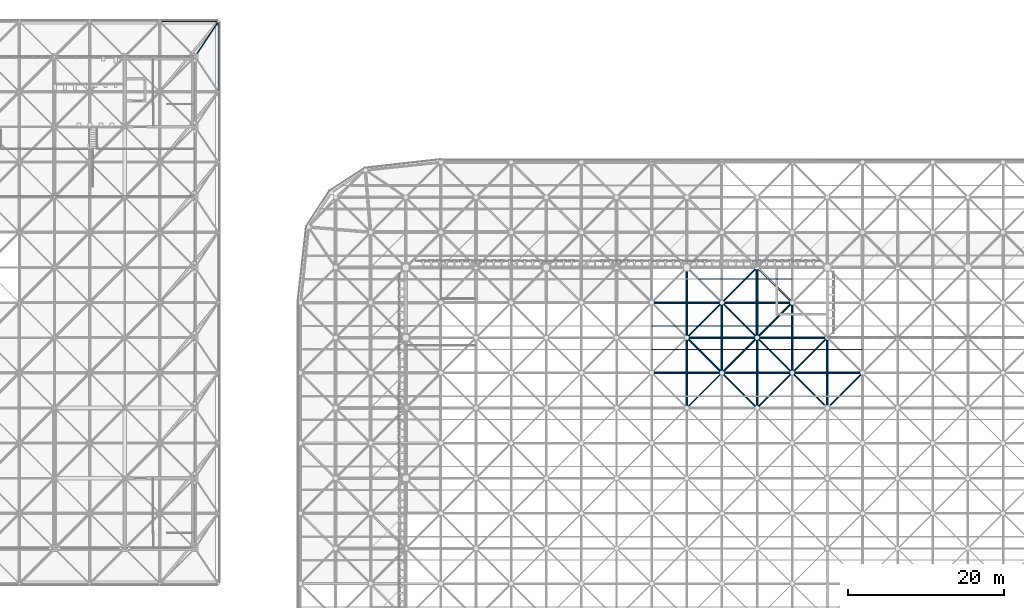
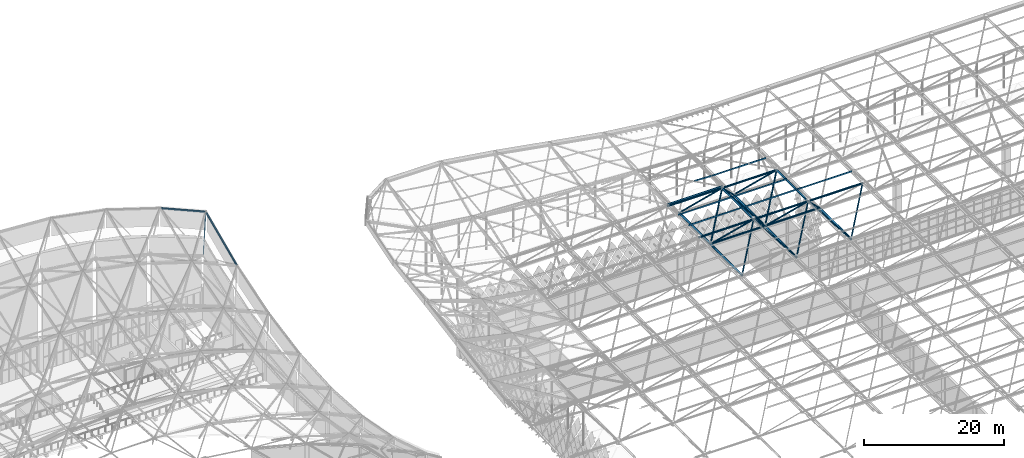
# One storey, part 152 of 437: 41 members.
"""IFC4 building model written with IfcOpenShell, lengths in metres."""

from ifc_helpers import new_model, si_unit, direction, frame, origin, origin_2d, place, context, subcontext, project, spatial, polyline, hollow_circle, outline, extrude, material, material_profile, profile_set, type_object, element, save


model = new_model("IFC4")

# Units and contexts
model_context = context("Model", 3, precision=1e-05, world=origin(), true_north=direction((0.0, 1.0)))
body_context = subcontext(model_context, "Body", "Model", "MODEL_VIEW")
ifc_project = project(units=[si_unit("LENGTHUNIT", "METRE"), si_unit("AREAUNIT", "SQUARE_METRE"), si_unit("VOLUMEUNIT", "CUBIC_METRE"), si_unit("PLANEANGLEUNIT", "RADIAN"), si_unit("MASSUNIT", "GRAM", prefix="KILO")], contexts=[model_context])

# Site, building, storey
site_placement = place(None, origin())
site = spatial("IfcSite", under=ifc_project, at=site_placement, CompositionType="ELEMENT")
building_placement = place(site_placement, origin())
building = spatial("IfcBuilding", under=site, at=building_placement, Name="Opaline Strait Convention Centre", CompositionType="ELEMENT")
storey_placement = place(building_placement, frame((0.0, 0.0, 11.5)))
storey = spatial("IfcBuildingStorey", under=building, at=storey_placement, Name="L02", CompositionType="ELEMENT", Elevation=11.5)

# Members
ifc_material = material(Name="Steel Q355B", Category="steel")
ifc_material_profile_1 = material_profile(ifc_material, outline(polyline([(-0.03759765625, -0.125), (0.03759765625, -0.125), (0.03759765625, -0.10498046875), (0.034912109375, -0.10498046875), (0.034912109375, -0.12255859375), (-0.034912109375, -0.12255859375), (-0.034912109375, 0.12255859375), (0.034912109375, 0.12255859375), (0.034912109375, 0.10498046875), (0.03759765625, 0.10498046875), (0.03759765625, 0.125), (-0.03759765625, 0.125), (-0.03759765625, -0.125)])), Name="C 250x75x20x2.5")
ifc_profile_set_1 = profile_set([ifc_material_profile_1], Name="Steel Q355B")
member_type_1 = type_object("IfcMemberType", Name="Roof purlin C 250x75x20x2.5", PredefinedType="PURLIN", material=ifc_profile_set_1)
for number, where, z_axis, x_axis, name in (
    (1, (130.5, 142.5, 18.257080078125), (1.0, 0.0, 0.0), (0.0, 1.0, 0.0), "EXB-RF-P-5-11-0"),
    (2, (130.5, 145.5, 18.257080078125), (1.0, 0.0, 0.0), (0.0, 1.0, 0.0), "EXB-RF-P-5-11-1"),
    (3, (139.5, 142.5, 18.257080078125), (1.0, 0.0, 0.0), (0.0, 1.0, 0.0), "EXB-RF-P-6-11-0"),
    (4, (139.5, 145.5, 18.257080078125), (1.0, 0.0, 0.0), (0.0, 1.0, 0.0), "EXB-RF-P-6-11-1"),
    (5, (148.5, 142.5, 18.257080078125), (1.0, 0.0, 0.0), (0.0, 1.0, 0.0), "EXB-RF-P-7-11-0"),
):
    element("IfcMember", number, at=place(storey_placement, frame(where, z_axis=z_axis, x_axis=x_axis)), inside=storey, type_object=member_type_1, Name=name, PredefinedType="PURLIN", context=body_context, shape_type="SweptSolid", body=[
        extrude(outline(polyline([(-0.03759765625, -0.125), (0.03759765625, -0.125), (0.03759765625, -0.10498046875), (0.034912109375, -0.10498046875), (0.034912109375, -0.12255859375), (-0.034912109375, -0.12255859375), (-0.034912109375, 0.12255859375), (0.034912109375, 0.12255859375), (0.034912109375, 0.10498046875), (0.03759765625, 0.10498046875), (0.03759765625, 0.125), (-0.03759765625, 0.125), (-0.03759765625, -0.125)])), origin(), (0.0, 0.0, 1.0), 9.0),
    ])
member_1_placement = place(storey_placement, frame((136.550048828125, 151.5, 18.38916015625), z_axis=(0.999303847196, 0.0, -0.03730711701), x_axis=(0.000271389435, 0.999973540706, 0.007269404021)))
element("IfcMember", 6, at=member_1_placement, inside=storey, type_object=member_type_1, Name="EXB-RF-P-5-12-0a", PredefinedType="PURLIN", context=body_context, shape_type="SweptSolid", body=[
    extrude(outline(polyline([(-0.03759765625, -0.125), (0.03759765625, -0.125), (0.03759765625, -0.10498046875), (0.034912109375, -0.10498046875), (0.034912109375, -0.12255859375), (-0.034912109375, -0.12255859375), (-0.034912109375, 0.12255859375), (0.034912109375, 0.12255859375), (0.034912109375, 0.10498046875), (0.03759765625, 0.10498046875), (0.03759765625, 0.125), (-0.03759765625, 0.125), (-0.03759765625, -0.125)])), origin(), (0.0, 0.0, 1.0), 2.872802734375),
])
member_2_placement = place(storey_placement, frame((130.449951171875, 148.54541015625, 18.259033203125), z_axis=(1.0, 0.0, 0.0), x_axis=(0.0, 0.999004644434, 0.044606282058)))
element("IfcMember", 7, at=member_2_placement, inside=storey, type_object=member_type_1, Name="EXB-RF-E-5-12b", PredefinedType="PURLIN", context=body_context, shape_type="SweptSolid", body=[
    extrude(outline(polyline([(-0.03759765625, -0.125), (0.03759765625, -0.125), (0.03759765625, -0.10498046875), (0.034912109375, -0.10498046875), (0.034912109375, -0.12255859375), (-0.034912109375, -0.12255859375), (-0.034912109375, 0.12255859375), (0.034912109375, 0.12255859375), (0.034912109375, 0.10498046875), (0.03759765625, 0.10498046875), (0.03759765625, 0.125), (-0.03759765625, 0.125), (-0.03759765625, -0.125)])), origin(), (0.0, 0.0, 1.0), 9.10009765625),
])
member_3_placement = place(storey_placement, frame((145.550048828125, 151.5, 18.278564453125), z_axis=(0.999973480305, 0.0, -0.007282766388), x_axis=(0.0, 1.0, 0.0)))
element("IfcMember", 8, at=member_3_placement, inside=storey, type_object=member_type_1, Name="EXB-RF-P-6-12-0a", PredefinedType="PURLIN", context=body_context, shape_type="SweptSolid", body=[
    extrude(outline(polyline([(-0.03759765625, -0.125), (0.03759765625, -0.125), (0.03759765625, -0.10498046875), (0.034912109375, -0.10498046875), (0.034912109375, -0.12255859375), (-0.034912109375, -0.12255859375), (-0.034912109375, 0.12255859375), (0.034912109375, 0.12255859375), (0.034912109375, 0.10498046875), (0.03759765625, 0.10498046875), (0.03759765625, 0.125), (-0.03759765625, 0.125), (-0.03759765625, -0.125)])), origin(), (0.0, 0.0, 1.0), 2.949951171875),
])
member_4_placement = place(storey_placement, frame((139.5, 151.5, 18.27880859375), z_axis=(1.0, 0.0, 0.0), x_axis=(0.0, 0.999973540706, 0.007274468163)))
element("IfcMember", 9, at=member_4_placement, inside=storey, type_object=member_type_1, Name="EXB-RF-P-6-12-0b", PredefinedType="PURLIN", context=body_context, shape_type="SweptSolid", body=[
    extrude(outline(polyline([(-0.03759765625, -0.125), (0.03759765625, -0.125), (0.03759765625, -0.10498046875), (0.034912109375, -0.10498046875), (0.034912109375, -0.12255859375), (-0.034912109375, -0.12255859375), (-0.034912109375, 0.12255859375), (0.034912109375, 0.12255859375), (0.034912109375, 0.10498046875), (0.03759765625, 0.10498046875), (0.03759765625, 0.125), (-0.03759765625, 0.125), (-0.03759765625, -0.125)])), origin(), (0.0, 0.0, 1.0), 5.949951171875),
])
ifc_material_profile_2 = material_profile(ifc_material, hollow_circle(Radius=0.1494140625, WallThickness=0.01611328125, at=origin_2d()), Name="CHS 299x16")
ifc_profile_set_2 = profile_set([ifc_material_profile_2], Name="Steel Q355B")
member_type_2 = type_object("IfcMemberType", Name="Shell truss top chord CHS 299x16", PredefinedType="CHORD", material=ifc_profile_set_2)
member_5_placement = place(storey_placement, frame((67.64990234375, 184.5, 17.77978515625), z_axis=(0.917383800951, 0.0, -0.398003720777), x_axis=(0.0, 1.0, 0.0)))
element("IfcMember", 10, at=member_5_placement, inside=storey, type_object=member_type_2, Name="PTC1 top chord X8-9", PredefinedType="CHORD", context=body_context, shape_type="SweptSolid", body=[
    extrude(hollow_circle(Radius=0.1494140625, WallThickness=0.01611328125, at=origin_2d()), origin(), (0.0, 0.0, 1.0), 7.8486328125),
])
member_6_placement = place(storey_placement, frame((75.0, 175.64990234375, 10.65771484375), z_axis=(0.0, 0.913813663494, 0.406133707555), x_axis=(-1.0, 0.0, 0.0)))
element("IfcMember", 11, at=member_6_placement, inside=storey, type_object=member_type_2, Name="PTC1 top chord Y9-8", PredefinedType="CHORD", context=body_context, shape_type="SweptSolid", body=[
    extrude(hollow_circle(Radius=0.1494140625, WallThickness=0.01611328125, at=origin_2d()), origin(), (0.0, 0.0, 1.0), 9.520751953125),
])
ifc_material_profile_3 = material_profile(ifc_material, hollow_circle(Radius=0.083984375, WallThickness=0.010009765625, at=origin_2d()), Name="CHS 168x10")
ifc_profile_set_3 = profile_set([ifc_material_profile_3], Name="Steel Q355B")
member_type_3 = type_object("IfcMemberType", Name="Shell truss web CHS 168x10", PredefinedType="BRACE", material=ifc_profile_set_3)
member_7_placement = place(storey_placement, frame((72.083251953125, 180.124755859375, 10.802978515625), z_axis=(0.450060474119, 0.675129489438, 0.584504698122), x_axis=(-0.832064999387, 0.554678138018, 0.0)))
element("IfcMember", 12, at=member_7_placement, inside=storey, type_object=member_type_3, Name="PWB1 web 8-8bd", PredefinedType="BRACE", context=body_context, shape_type="SweptSolid", body=[
    extrude(hollow_circle(Radius=0.083984375, WallThickness=0.010009765625, at=origin_2d()), origin(), (0.0, 0.0, 1.0), 6.2958984375),
])
ifc_material_profile_4 = material_profile(ifc_material, hollow_circle(Radius=0.16259765625, WallThickness=0.013916015625, at=origin_2d()), Name="CHS 325x14")
ifc_profile_set_4 = profile_set([ifc_material_profile_4], Name="Steel Q355B")
member_type_4 = type_object("IfcMemberType", Name="Space frame bottom chord CHS 325x14", PredefinedType="CHORD", material=ifc_profile_set_4)
member_8_placement = place(storey_placement, frame((144.0, 134.949951171875, 12.5), z_axis=(0.0, 1.0, 0.0), x_axis=(-1.0, 0.0, 0.0)))
element("IfcMember", 13, at=member_8_placement, inside=storey, type_object=member_type_4, Name="EXB-RF-BY-6-10", PredefinedType="CHORD", context=body_context, shape_type="SweptSolid", body=[
    extrude(hollow_circle(Radius=0.16259765625, WallThickness=0.013916015625, at=origin_2d()), origin(), (0.0, 0.0, 1.0), 9.10009765625),
])
ifc_material_profile_5 = material_profile(ifc_material, hollow_circle(Radius=0.175537109375, WallThickness=0.01611328125, at=origin_2d()), Name="CHS 351x16")
ifc_profile_set_5 = profile_set([ifc_material_profile_5], Name="Steel Q355B")
member_type_5 = type_object("IfcMemberType", Name="Space frame bottom chord CHS 351x16", PredefinedType="CHORD", material=ifc_profile_set_5)
for number, where, z_axis, x_axis, name in (
    (14, (134.949951171875, 144.0, 12.5), (1.0, 0.0, 0.0), (0.0, 1.0, 0.0), "EXB-RF-BX-5-11"),
    (15, (143.949951171875, 144.0, 12.5), (1.0, 0.0, 0.0), (0.0, 1.0, 0.0), "EXB-RF-BX-6-11"),
    (16, (135.0, 134.949951171875, 12.5), (0.0, 1.0, 0.0), (-1.0, 0.0, 0.0), "EXB-RF-BY-5-10"),
    (17, (135.0, 143.949951171875, 12.5), (0.0, 1.0, 0.0), (-1.0, 0.0, 0.0), "EXB-RF-BY-5-11"),
    (18, (144.0, 143.949951171875, 12.5), (0.0, 1.0, 0.0), (-1.0, 0.0, 0.0), "EXB-RF-BY-6-11"),
    (19, (153.0, 134.949951171875, 12.5), (0.0, 1.0, 0.0), (-1.0, 0.0, 0.0), "EXB-RF-BY-7-10"),
):
    element("IfcMember", number, at=place(storey_placement, frame(where, z_axis=z_axis, x_axis=x_axis)), inside=storey, type_object=member_type_5, Name=name, PredefinedType="CHORD", context=body_context, shape_type="SweptSolid", body=[
        extrude(hollow_circle(Radius=0.175537109375, WallThickness=0.01611328125, at=origin_2d()), origin(), (0.0, 0.0, 1.0), 9.10009765625),
    ])
ifc_material_profile_6 = material_profile(ifc_material, hollow_circle(Radius=0.16259765625, WallThickness=0.013916015625, at=origin_2d()), Name="CHS 325x14")
ifc_profile_set_6 = profile_set([ifc_material_profile_6], Name="Steel Q355B")
member_type_6 = type_object("IfcMemberType", Name="Space frame top chord CHS 325x14", PredefinedType="CHORD", material=ifc_profile_set_6)
member_9_placement = place(storey_placement, frame((139.449951171875, 139.5, 17.971435546875), z_axis=(1.0, 0.0, 0.0), x_axis=(0.0, 1.0, 0.0)))
element("IfcMember", 20, at=member_9_placement, inside=storey, type_object=member_type_6, Name="EXB-RF-TX-6-11", PredefinedType="CHORD", context=body_context, shape_type="SweptSolid", body=[
    extrude(hollow_circle(Radius=0.16259765625, WallThickness=0.013916015625, at=origin_2d()), origin(), (0.0, 0.0, 1.0), 9.10009765625),
])
ifc_material_profile_7 = material_profile(ifc_material, hollow_circle(Radius=0.16259765625, WallThickness=0.02001953125, at=origin_2d()), Name="CHS 325x20")
ifc_profile_set_7 = profile_set([ifc_material_profile_7], Name="Steel Q355B")
member_type_7 = type_object("IfcMemberType", Name="Space frame top chord CHS 325x20", PredefinedType="CHORD", material=ifc_profile_set_7)
for number, where, z_axis, x_axis, name in (
    (21, (130.449951171875, 139.5, 17.971435546875), (1.0, 0.0, 0.0), (0.0, 1.0, 0.0), "EXB-RF-TX-5-11"),
    (22, (148.449951171875, 139.5, 17.971435546875), (1.0, 0.0, 0.0), (0.0, 1.0, 0.0), "EXB-RF-TX-7-11"),
    (23, (130.449951171875, 148.5, 17.971435546875), (1.0, 0.0, 0.0), (0.0, 1.0, 0.0), "EXB-RF-TX-5-12"),
    (24, (139.449951171875, 148.5, 17.971435546875), (1.0, 0.0, 0.0), (0.0, 1.0, 0.0), "EXB-RF-TX-6-12"),
    (25, (139.5, 139.449951171875, 17.971435546875), (0.0, 1.0, 0.0), (-1.0, 0.0, 0.0), "EXB-RF-TY-6-11"),
    (26, (148.5, 139.449951171875, 17.971435546875), (0.0, 1.0, 0.0), (-1.0, 0.0, 0.0), "EXB-RF-TY-7-11"),
):
    element("IfcMember", number, at=place(storey_placement, frame(where, z_axis=z_axis, x_axis=x_axis)), inside=storey, type_object=member_type_7, Name=name, PredefinedType="CHORD", context=body_context, shape_type="SweptSolid", body=[
        extrude(hollow_circle(Radius=0.16259765625, WallThickness=0.02001953125, at=origin_2d()), origin(), (0.0, 0.0, 1.0), 9.10009765625),
    ])
ifc_material_profile_8 = material_profile(ifc_material, hollow_circle(Radius=0.109619140625, WallThickness=0.010009765625, at=origin_2d()), Name="CHS 219x10")
ifc_profile_set_8 = profile_set([ifc_material_profile_8], Name="Steel Q355B")
member_type_8 = type_object("IfcMemberType", Name="Space frame web CHS 219x10", PredefinedType="BRACE", material=ifc_profile_set_8)
for number, where, z_axis, x_axis, name in (
    (27, (139.52685546875, 139.52685546875, 18.004150390625), (-0.536178220346, -0.536178220346, -0.6519400525), (0.707106781187, -0.707106781187, 0.0), "EXB-RF-W-5-10-11"),
    (28, (139.47314453125, 139.52685546875, 18.004150390625), (0.536178220346, -0.536178220346, -0.6519400525), (0.707106781187, 0.707106781187, 0.0), "EXB-RF-W-6-10-01"),
    (29, (148.52685546875, 139.52685546875, 18.004150390625), (-0.536178220346, -0.536178220346, -0.6519400525), (0.707106781187, -0.707106781187, 0.0), "EXB-RF-W-6-10-11"),
    (30, (148.47314453125, 139.52685546875, 18.004150390625), (0.536178220346, -0.536178220346, -0.6519400525), (0.707106781187, 0.707106781187, 0.0), "EXB-RF-W-7-10-01"),
    (31, (157.52685546875, 139.52685546875, 18.004150390625), (-0.536178220346, -0.536178220346, -0.6519400525), (0.707106781187, -0.707106781187, 0.0), "EXB-RF-W-7-10-11"),
):
    element("IfcMember", number, at=place(storey_placement, frame(where, z_axis=z_axis, x_axis=x_axis)), inside=storey, type_object=member_type_8, Name=name, PredefinedType="BRACE", context=body_context, shape_type="SweptSolid", body=[
        extrude(hollow_circle(Radius=0.109619140625, WallThickness=0.010009765625, at=origin_2d()), origin(), (0.0, 0.0, 1.0), 8.492919921875),
    ])
ifc_material_profile_9 = material_profile(ifc_material, hollow_circle(Radius=0.12255859375, WallThickness=0.011962890625, at=origin_2d()), Name="CHS 245x12")
ifc_profile_set_9 = profile_set([ifc_material_profile_9], Name="Steel Q355B")
member_type_9 = type_object("IfcMemberType", Name="Space frame web CHS 245x12", PredefinedType="BRACE", material=ifc_profile_set_9)
for number, where, z_axis, x_axis, name in (
    (32, (139.52685546875, 139.47314453125, 18.004150390625), (-0.536178220346, 0.536178220346, -0.6519400525), (-0.707106781187, -0.707106781187, 0.0), "EXB-RF-W-5-11-10"),
    (33, (139.52685546875, 148.52685546875, 18.004150390625), (-0.536178220346, -0.536178220346, -0.6519400525), (0.707106781187, -0.707106781187, 0.0), "EXB-RF-W-5-11-11"),
    (34, (139.52685546875, 148.47314453125, 18.004150390625), (-0.536178220346, 0.536178220346, -0.6519400525), (-0.707106781187, -0.707106781187, 0.0), "EXB-RF-W-5-12-10"),
    (35, (139.47314453125, 139.47314453125, 18.004150390625), (0.536178220346, 0.536178220346, -0.6519400525), (-0.707106781187, 0.707106781187, 0.0), "EXB-RF-W-6-11-00"),
    (36, (139.47314453125, 148.52685546875, 18.004150390625), (0.536178220346, -0.536178220346, -0.6519400525), (0.707106781187, 0.707106781187, 0.0), "EXB-RF-W-6-11-01"),
    (37, (148.52685546875, 139.47314453125, 18.004150390625), (-0.536178220346, 0.536178220346, -0.6519400525), (-0.707106781187, -0.707106781187, 0.0), "EXB-RF-W-6-11-10"),
    (38, (148.52685546875, 148.52685546875, 18.004150390625), (-0.536178220346, -0.536178220346, -0.6519400525), (0.707106781187, -0.707106781187, 0.0), "EXB-RF-W-6-11-11"),
    (39, (139.47314453125, 148.47314453125, 18.004150390625), (0.536178220346, 0.536178220346, -0.6519400525), (-0.707106781187, 0.707106781187, 0.0), "EXB-RF-W-6-12-00"),
    (40, (148.52685546875, 148.47314453125, 18.004150390625), (-0.536178220346, 0.536178220346, -0.6519400525), (-0.707106781187, -0.707106781187, 0.0), "EXB-RF-W-6-12-10"),
    (41, (148.47314453125, 139.47314453125, 18.004150390625), (0.536178220346, 0.536178220346, -0.6519400525), (-0.707106781187, 0.707106781187, 0.0), "EXB-RF-W-7-11-00"),
):
    element("IfcMember", number, at=place(storey_placement, frame(where, z_axis=z_axis, x_axis=x_axis)), inside=storey, type_object=member_type_9, Name=name, PredefinedType="BRACE", context=body_context, shape_type="SweptSolid", body=[
        extrude(hollow_circle(Radius=0.12255859375, WallThickness=0.011962890625, at=origin_2d()), origin(), (0.0, 0.0, 1.0), 8.492919921875),
    ])

save(model, "model.ifc")
